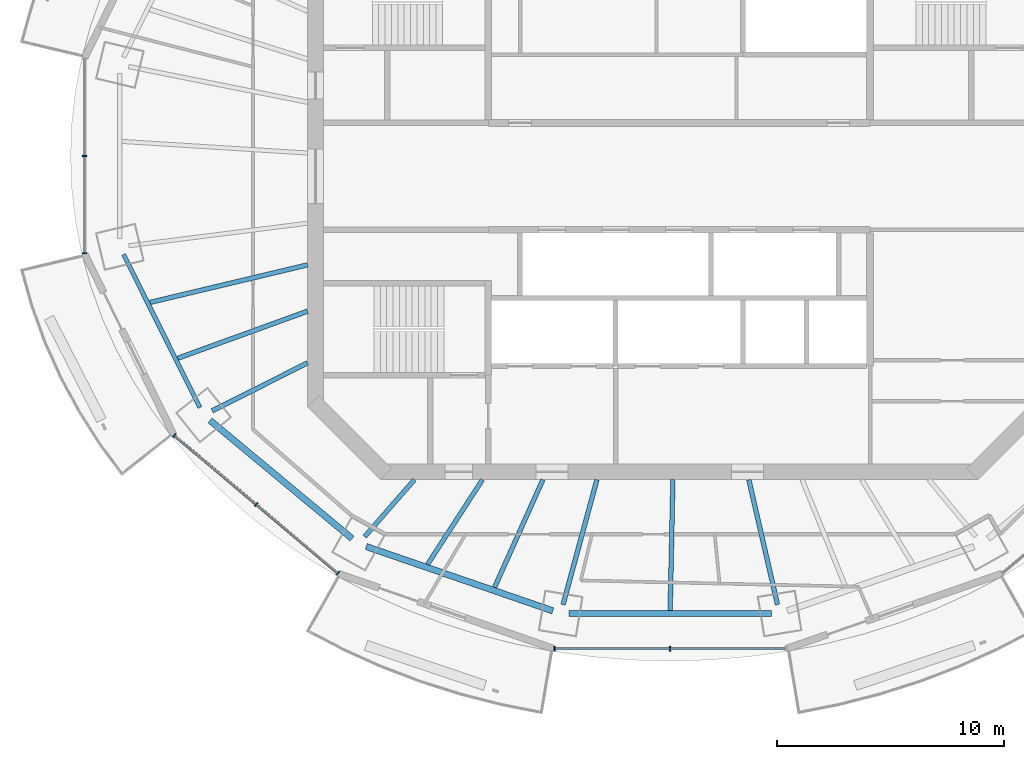
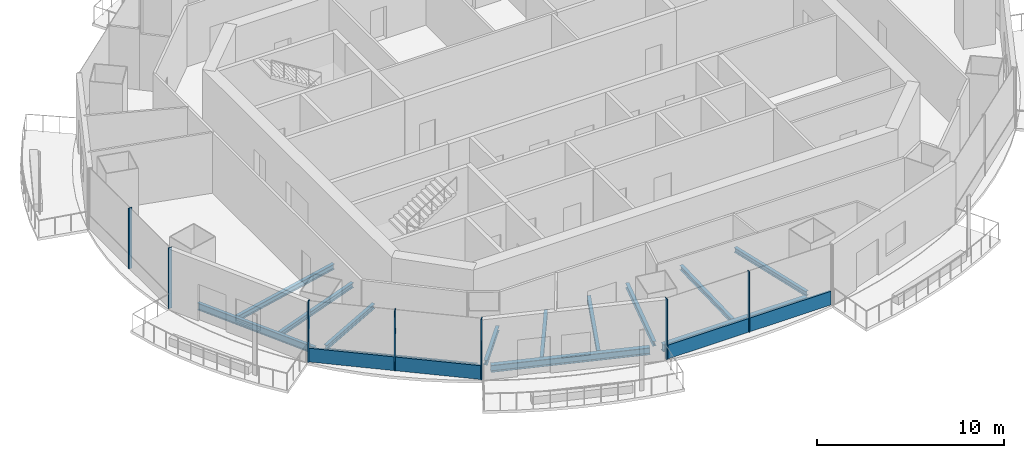
# One storey, part 2 of 16: 13 beams, 9 members, 3 elements without a shape of their own.
"""IFC4 building model written with IfcOpenShell, lengths in metres."""

from ifc_helpers import new_model, si_unit, direction, frame, origin, origin_2d, place, context, subcontext, project, spatial, rectangle, i_section, extrude, material, material_profile, profile_set, type_object, element, aggregate, save


model = new_model("IFC4")

# Units and contexts
model_context = context("Model", 3, precision=1e-05, world=origin(), true_north=direction((0.0, 1.0)))
body_context = subcontext(model_context, "Body", "Model", "MODEL_VIEW")
ifc_project = project(units=[si_unit("LENGTHUNIT", "METRE"), si_unit("AREAUNIT", "SQUARE_METRE"), si_unit("VOLUMEUNIT", "CUBIC_METRE"), si_unit("PLANEANGLEUNIT", "RADIAN"), si_unit("MASSUNIT", "GRAM", prefix="KILO")], contexts=[model_context])

# Site, building, storey
site_placement = place(None, origin())
site = spatial("IfcSite", under=ifc_project, at=site_placement, CompositionType="ELEMENT")
building_placement = place(site_placement, origin())
building = spatial("IfcBuilding", under=site, at=building_placement, Name="Marenthal Gate Tower", CompositionType="ELEMENT")
storey_placement = place(building_placement, frame((0.0, 0.0, 363.35009765625)))
storey = spatial("IfcBuildingStorey", under=building, at=storey_placement, Name="L82", CompositionType="ELEMENT", Elevation=363.35009765625)

# Curtain wall, members
ifc_material_1 = material(Name="Aluminium and glass", Category="aluminium")
curtain_wall_type = type_object("IfcCurtainWallType", Name="Curtain wall typical high", PredefinedType="NOTDEFINED", material=ifc_material_1)
curtain_wall_1_placement = place(storey_placement, origin())
curtain_wall_1 = element("IfcCurtainWall", 1, at=curtain_wall_1_placement, inside=storey, type_object=curtain_wall_type, Name="Curtain wall L82 bay 8", PredefinedType="NOTDEFINED")
ifc_material_2 = material(Name="Aluminium", Category="aluminium")
ifc_material_profile_1 = material_profile(ifc_material_2, rectangle(XDim=0.199951171875, YDim=0.06005859375, at=origin_2d()), Name="60x200 aluminium mullion")
ifc_profile_set_1 = profile_set([ifc_material_profile_1], Name="Aluminium")
member_type_1 = type_object("IfcMemberType", Name="Mullion 60x200 typical high", PredefinedType="MULLION", material=ifc_profile_set_1)
member_1_placement = place(storey_placement, frame((-26.160400390625, 0.89990234375, 0.0), z_axis=(0.0, 0.0, 1.0), x_axis=(1.0, 0.0, 0.0)))
member_1 = element("IfcMember", 2, at=member_1_placement, type_object=member_type_1, Name="Mullion L82 bay 8.2", PredefinedType="MULLION", context=body_context, shape_type="SweptSolid", body=[
    extrude(rectangle(XDim=0.199951171875, YDim=0.06005859375, at=origin_2d()), origin(), (0.0, 0.0, 1.0), 3.969970703125),
])
member_2_placement = place(storey_placement, frame((-26.160400390625, -3.383544921875, 0.0), z_axis=(0.0, 0.0, 1.0), x_axis=(1.0, 0.0, 0.0)))
member_2 = element("IfcMember", 3, at=member_2_placement, type_object=member_type_1, Name="Mullion L82 bay 8.3", PredefinedType="MULLION", context=body_context, shape_type="SweptSolid", body=[
    extrude(rectangle(XDim=0.199951171875, YDim=0.06005859375, at=origin_2d()), origin(), (0.0, 0.0, 1.0), 3.969970703125),
])
aggregate(curtain_wall_1, [member_1, member_2])

curtain_wall_2_placement = place(storey_placement, origin())
curtain_wall_2 = element("IfcCurtainWall", 4, at=curtain_wall_2_placement, inside=storey, type_object=curtain_wall_type, Name="Curtain wall L82 bay 10", PredefinedType="NOTDEFINED")
member_3_placement = place(storey_placement, frame((-22.215576171875, -11.403564453125, 0.0), z_axis=(0.0, 0.0, 1.0), x_axis=(0.644022605429, 0.765006459905, 0.0)))
member_3 = element("IfcMember", 5, at=member_3_placement, type_object=member_type_1, Name="Mullion L82 bay 10.1", PredefinedType="MULLION", context=body_context, shape_type="SweptSolid", body=[
    extrude(rectangle(XDim=0.199951171875, YDim=0.06005859375, at=origin_2d()), origin(), (0.0, 0.0, 1.0), 3.969970703125),
])
member_4_placement = place(storey_placement, frame((-18.615234375, -14.434326171875, 0.0), z_axis=(0.0, 0.0, 1.0), x_axis=(0.644022605429, 0.765006459905, 0.0)))
member_4 = element("IfcMember", 6, at=member_4_placement, type_object=member_type_1, Name="Mullion L82 bay 10.2", PredefinedType="MULLION", context=body_context, shape_type="SweptSolid", body=[
    extrude(rectangle(XDim=0.199951171875, YDim=0.06005859375, at=origin_2d()), origin(), (0.0, 0.0, 1.0), 3.969970703125),
])
member_5_placement = place(storey_placement, frame((-15.01513671875, -17.46533203125, 0.0), z_axis=(0.0, 0.0, 1.0), x_axis=(0.644022605429, 0.765006459905, 0.0)))
member_5 = element("IfcMember", 7, at=member_5_placement, type_object=member_type_1, Name="Mullion L82 bay 10.3", PredefinedType="MULLION", context=body_context, shape_type="SweptSolid", body=[
    extrude(rectangle(XDim=0.199951171875, YDim=0.06005859375, at=origin_2d()), origin(), (0.0, 0.0, 1.0), 3.969970703125),
])

curtain_wall_3_placement = place(storey_placement, origin())
curtain_wall_3 = element("IfcCurtainWall", 8, at=curtain_wall_3_placement, inside=storey, type_object=curtain_wall_type, Name="Curtain wall L82 bay 12", PredefinedType="NOTDEFINED")
member_6_placement = place(storey_placement, frame((-5.493896484375, -20.7861328125, 0.0), z_axis=(0.0, 0.0, 1.0), x_axis=(0.0, 1.0, 0.0)))
member_6 = element("IfcMember", 9, at=member_6_placement, type_object=member_type_1, Name="Mullion L82 bay 12.1", PredefinedType="MULLION", context=body_context, shape_type="SweptSolid", body=[
    extrude(rectangle(XDim=0.199951171875, YDim=0.06005859375, at=origin_2d()), origin(), (0.0, 0.0, 1.0), 3.969970703125),
])
member_7_placement = place(storey_placement, frame((-0.39990234375, -20.7861328125, 0.0), z_axis=(0.0, 0.0, 1.0), x_axis=(0.0, 1.0, 0.0)))
member_7 = element("IfcMember", 10, at=member_7_placement, type_object=member_type_1, Name="Mullion L82 bay 12.2", PredefinedType="MULLION", context=body_context, shape_type="SweptSolid", body=[
    extrude(rectangle(XDim=0.199951171875, YDim=0.06005859375, at=origin_2d()), origin(), (0.0, 0.0, 1.0), 3.969970703125),
])

# Member
ifc_material_3 = material(Name="Aluminium", Category="aluminium")
ifc_material_profile_2 = material_profile(ifc_material_3, rectangle(XDim=0.1201171875, YDim=0.89990234375, at=origin_2d()), Name="120x900 aluminium transom")
ifc_profile_set_2 = profile_set([ifc_material_profile_2], Name="Aluminium")
member_type_2 = type_object("IfcMemberType", Name="Transom 120x900 typical high", PredefinedType="USERDEFINED", material=ifc_profile_set_2)
member_8_placement = place(storey_placement, frame((-22.192626953125, -11.4228515625, 0.449951171875), z_axis=(0.764999870882, -0.644030432162, 0.0), x_axis=(0.644030432162, 0.764999870882, 0.0)))
member_8 = element("IfcMember", 11, at=member_8_placement, type_object=member_type_2, Name="Transom L82 bay 10", ObjectType="TRANSOM", PredefinedType="USERDEFINED", context=body_context, shape_type="SweptSolid", body=[
    extrude(rectangle(XDim=0.1201171875, YDim=0.89990234375, at=origin_2d()), origin(), (0.0, 0.0, 1.0), 9.352294921875),
])

aggregate(curtain_wall_2, [member_3, member_4, member_5, member_8])

member_9_placement = place(storey_placement, frame((-5.464111328125, -20.7861328125, 0.449951171875), z_axis=(1.0, 0.0, 0.0), x_axis=(0.0, 1.0, 0.0)))
member_9 = element("IfcMember", 12, at=member_9_placement, type_object=member_type_2, Name="Transom L82 bay 12", ObjectType="TRANSOM", PredefinedType="USERDEFINED", context=body_context, shape_type="SweptSolid", body=[
    extrude(rectangle(XDim=0.1201171875, YDim=0.89990234375, at=origin_2d()), origin(), (0.0, 0.0, 1.0), 10.128173828125),
])

aggregate(curtain_wall_3, [member_6, member_7, member_9])

# Beams
ifc_material_4 = material(Name="Steel S355", Category="steel")
ifc_material_profile_3 = material_profile(ifc_material_4, i_section(OverallWidth=0.202880859375, OverallDepth=0.302001953125, WebThickness=0.007568359375, FlangeThickness=0.01318359375, FilletRadius=0.0126953125, at=origin_2d()), Name="W310X60")
ifc_profile_set_3 = profile_set([ifc_material_profile_3], Name="Steel S355")
beam_type_1 = type_object("IfcBeamType", Name="W310X60 beam", PredefinedType="BEAM", material=ifc_profile_set_3)
beam_1_placement = place(storey_placement, frame((-11.06982421875, -17.072265625, -0.3310546875), z_axis=(0.544024630078, 0.839069247362, 0.0), x_axis=(-0.839069247362, 0.544024630078, 0.0)))
element("IfcBeam", 13, at=beam_1_placement, inside=storey, type_object=beam_type_1, Name="BM-L82-31", PredefinedType="BEAM", context=body_context, shape_type="SweptSolid", body=[
    extrude(i_section(OverallWidth=0.202880859375, OverallDepth=0.302001953125, WebThickness=0.007568359375, FlangeThickness=0.01318359375, FilletRadius=0.0126953125, at=origin_2d()), origin(), (0.0, 0.0, 1.0), 4.43603515625),
])
beam_2_placement = place(storey_placement, frame((-8.12451171875, -18.0869140625, -0.3310546875), z_axis=(0.409742917425, 0.912201042326, 0.0), x_axis=(-0.912201042326, 0.409742917425, 0.0)))
element("IfcBeam", 14, at=beam_2_placement, inside=storey, type_object=beam_type_1, Name="BM-L82-32", PredefinedType="BEAM", context=body_context, shape_type="SweptSolid", body=[
    extrude(i_section(OverallWidth=0.202880859375, OverallDepth=0.302001953125, WebThickness=0.007568359375, FlangeThickness=0.01318359375, FilletRadius=0.0126953125, at=origin_2d()), origin(), (0.0, 0.0, 1.0), 5.192626953125),
])
beam_3_placement = place(storey_placement, frame((-0.397216796875, -19.096923828125, -0.3310546875), z_axis=(0.020812008551, 0.999783406694, 0.0), x_axis=(-0.999783406694, 0.020812008551, 0.0)))
element("IfcBeam", 15, at=beam_3_placement, inside=storey, type_object=beam_type_1, Name="BM-L82-33", PredefinedType="BEAM", context=body_context, shape_type="SweptSolid", body=[
    extrude(i_section(OverallWidth=0.202880859375, OverallDepth=0.302001953125, WebThickness=0.007568359375, FlangeThickness=0.01318359375, FilletRadius=0.0126953125, at=origin_2d()), origin(), (0.0, 0.0, 1.0), 5.748046875),
])
ifc_material_5 = material(Name="Steel S355", Category="steel")
ifc_material_profile_4 = material_profile(ifc_material_5, i_section(OverallWidth=0.205078125, OverallDepth=0.31005859375, WebThickness=0.009521484375, FlangeThickness=0.016357421875, FilletRadius=0.0126953125, at=origin_2d()), Name="W310X74")
ifc_profile_set_4 = profile_set([ifc_material_profile_4], Name="Steel S355")
beam_type_2 = type_object("IfcBeamType", Name="W310X74 beam", PredefinedType="BEAM", material=ifc_profile_set_4)
beam_4_placement = place(storey_placement, frame((-20.549072265625, -10.317626953125, -0.335205078125), z_axis=(0.893688118434, 0.448688697173, 0.0), x_axis=(-0.448688697173, 0.893688118434, 0.0)))
element("IfcBeam", 16, at=beam_4_placement, inside=storey, type_object=beam_type_2, Name="BM-L82-10", PredefinedType="BEAM", context=body_context, shape_type="SweptSolid", body=[
    extrude(i_section(OverallWidth=0.205078125, OverallDepth=0.31005859375, WebThickness=0.009521484375, FlangeThickness=0.016357421875, FilletRadius=0.0126953125, at=origin_2d()), origin(), (0.0, 0.0, 1.0), 4.698486328125),
])
beam_5_placement = place(storey_placement, frame((-13.837890625, -15.854248046875, -0.335205078125), z_axis=(0.657594131615, 0.753372390034, 0.0), x_axis=(-0.753372390034, 0.657594131615, 0.0)))
element("IfcBeam", 17, at=beam_5_placement, inside=storey, type_object=beam_type_2, Name="BM-L82-11", PredefinedType="BEAM", context=body_context, shape_type="SweptSolid", body=[
    extrude(i_section(OverallWidth=0.205078125, OverallDepth=0.31005859375, WebThickness=0.009521484375, FlangeThickness=0.016357421875, FilletRadius=0.0126953125, at=origin_2d()), origin(), (0.0, 0.0, 1.0), 3.323974609375),
])
beam_6_placement = place(storey_placement, frame((-5.10986328125, -18.845947265625, -0.335205078125), z_axis=(0.261705893929, 0.965147670091, 0.0), x_axis=(-0.965147670091, 0.261705893929, 0.0)))
element("IfcBeam", 18, at=beam_6_placement, inside=storey, type_object=beam_type_2, Name="BM-L82-12", PredefinedType="BEAM", context=body_context, shape_type="SweptSolid", body=[
    extrude(i_section(OverallWidth=0.205078125, OverallDepth=0.31005859375, WebThickness=0.009521484375, FlangeThickness=0.016357421875, FilletRadius=0.0126953125, at=origin_2d()), origin(), (0.0, 0.0, 1.0), 5.6943359375),
])
beam_7_placement = place(storey_placement, frame((4.325927734375, -18.844970703125, -0.335205078125), z_axis=(-0.223752430236, 0.974646012644, 0.0), x_axis=(-0.974646012644, -0.223752430236, 0.0)))
element("IfcBeam", 19, at=beam_7_placement, inside=storey, type_object=beam_type_2, Name="BM-L82-13", PredefinedType="BEAM", context=body_context, shape_type="SweptSolid", body=[
    extrude(i_section(OverallWidth=0.205078125, OverallDepth=0.31005859375, WebThickness=0.009521484375, FlangeThickness=0.016357421875, FilletRadius=0.0126953125, at=origin_2d()), origin(), (0.0, 0.0, 1.0), 5.6376953125),
])
beam_8_placement = place(storey_placement, frame((-22.06298828125, -8.006591796875, -0.335205078125), z_axis=(0.940013731423, 0.341136607147, 0.0), x_axis=(-0.341136607147, 0.940013731423, 0.0)))
element("IfcBeam", 20, at=beam_8_placement, inside=storey, type_object=beam_type_2, Name="BM-L82-30", PredefinedType="BEAM", context=body_context, shape_type="SweptSolid", body=[
    extrude(i_section(OverallWidth=0.205078125, OverallDepth=0.31005859375, WebThickness=0.009521484375, FlangeThickness=0.016357421875, FilletRadius=0.0126953125, at=origin_2d()), origin(), (0.0, 0.0, 1.0), 6.077392578125),
])
ifc_material_6 = material(Name="Steel S355", Category="steel")
ifc_material_profile_5 = material_profile(ifc_material_6, i_section(OverallWidth=0.205078125, OverallDepth=0.35302734375, WebThickness=0.009521484375, FlangeThickness=0.016845703125, FilletRadius=0.014892578125, at=origin_2d()), Name="W360X79")
ifc_profile_set_5 = profile_set([ifc_material_profile_5], Name="Steel S355")
beam_type_3 = type_object("IfcBeamType", Name="W360X79 beam", PredefinedType="BEAM", material=ifc_profile_set_5)
beam_9_placement = place(storey_placement, frame((-23.28662109375, -5.5498046875, -0.356689453125), z_axis=(0.97275034875, 0.231855038777, 0.0), x_axis=(-0.231855038777, 0.97275034875, 0.0)))
element("IfcBeam", 21, at=beam_9_placement, inside=storey, type_object=beam_type_3, Name="BM-L82-29", PredefinedType="BEAM", context=body_context, shape_type="SweptSolid", body=[
    extrude(i_section(OverallWidth=0.205078125, OverallDepth=0.35302734375, WebThickness=0.009521484375, FlangeThickness=0.016845703125, FilletRadius=0.014892578125, at=origin_2d()), origin(), (0.0, 0.0, 1.0), 7.130859375),
])
ifc_material_7 = material(Name="Steel S355", Category="steel")
ifc_material_profile_6 = material_profile(ifc_material_7, i_section(OverallWidth=0.279052734375, OverallDepth=0.4619140625, WebThickness=0.0107421875, FlangeThickness=0.017333984375, FilletRadius=0.010009765625, at=origin_2d()), Name="W460X113")
ifc_profile_set_6 = profile_set([ifc_material_profile_6], Name="Steel S355")
beam_type_4 = type_object("IfcBeamType", Name="W460X113 beam", PredefinedType="BEAM", material=ifc_profile_set_6)
beam_10_placement = place(storey_placement, frame((-20.642333984375, -10.7412109375, -0.4111328125), z_axis=(0.768814455902, -0.639471916816, 0.0), x_axis=(0.639471916816, 0.768814455902, 0.0)))
element("IfcBeam", 22, at=beam_10_placement, inside=storey, type_object=beam_type_4, Name="BM-L82-48", PredefinedType="BEAM", context=body_context, shape_type="SweptSolid", body=[
    extrude(i_section(OverallWidth=0.279052734375, OverallDepth=0.4619140625, WebThickness=0.0107421875, FlangeThickness=0.017333984375, FilletRadius=0.010009765625, at=origin_2d()), origin(), (0.0, 0.0, 1.0), 8.1259765625),
])
beam_11_placement = place(storey_placement, frame((-13.770751953125, -16.289306640625, -0.4111328125), z_axis=(0.945465237287, -0.325723018964, 0.0), x_axis=(0.325723018964, 0.945465237287, 0.0)))
element("IfcBeam", 23, at=beam_11_placement, inside=storey, type_object=beam_type_4, Name="BM-L82-49", PredefinedType="BEAM", context=body_context, shape_type="SweptSolid", body=[
    extrude(i_section(OverallWidth=0.279052734375, OverallDepth=0.4619140625, WebThickness=0.0107421875, FlangeThickness=0.017333984375, FilletRadius=0.010009765625, at=origin_2d()), origin(), (0.0, 0.0, 1.0), 8.686279296875),
])
beam_12_placement = place(storey_placement, frame((-4.854248046875, -19.236572265625, -0.4111328125), z_axis=(1.0, 0.0, 0.0), x_axis=(0.0, 1.0, 0.0)))
element("IfcBeam", 24, at=beam_12_placement, inside=storey, type_object=beam_type_4, Name="BM-L82-50", PredefinedType="BEAM", context=body_context, shape_type="SweptSolid", body=[
    extrude(i_section(OverallWidth=0.279052734375, OverallDepth=0.4619140625, WebThickness=0.0107421875, FlangeThickness=0.017333984375, FilletRadius=0.010009765625, at=origin_2d()), origin(), (0.0, 0.0, 1.0), 8.908447265625),
])
ifc_material_8 = material(Name="Steel S355", Category="steel")
ifc_material_profile_7 = material_profile(ifc_material_8, i_section(OverallWidth=0.19091796875, OverallDepth=0.45703125, WebThickness=0.009033203125, FlangeThickness=0.014404296875, FilletRadius=0.01025390625, at=origin_2d()), Name="W460X74")
ifc_profile_set_7 = profile_set([ifc_material_profile_7], Name="Steel S355")
beam_type_5 = type_object("IfcBeamType", Name="W460X74 beam", PredefinedType="BEAM", material=ifc_profile_set_7)
beam_13_placement = place(storey_placement, frame((-24.444580078125, -3.438720703125, -0.40869140625), z_axis=(0.445798626481, -0.895133277578, 0.0), x_axis=(0.895133277578, 0.445798626481, 0.0)))
element("IfcBeam", 25, at=beam_13_placement, inside=storey, type_object=beam_type_5, Name="BM-L82-47", PredefinedType="BEAM", context=body_context, shape_type="SweptSolid", body=[
    extrude(i_section(OverallWidth=0.19091796875, OverallDepth=0.45703125, WebThickness=0.009033203125, FlangeThickness=0.014404296875, FilletRadius=0.01025390625, at=origin_2d()), origin(), (0.0, 0.0, 1.0), 7.52587890625),
])

save(model, "model.ifc")
